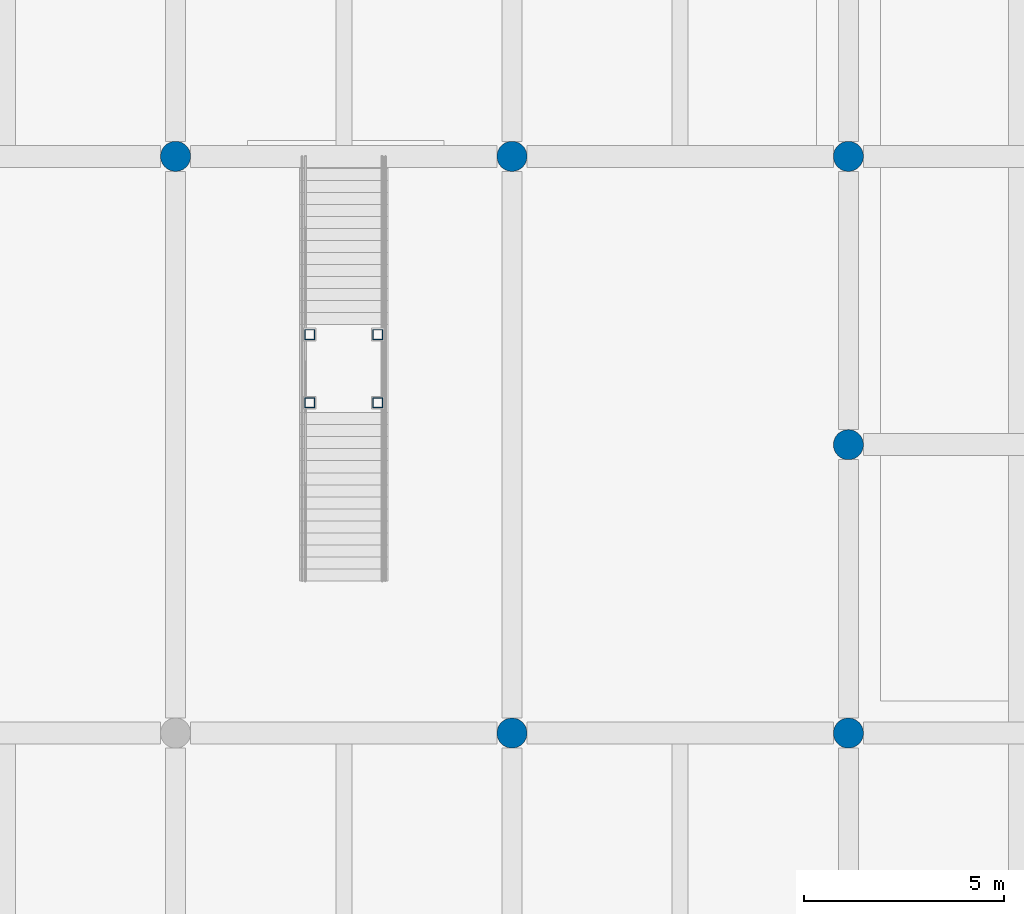
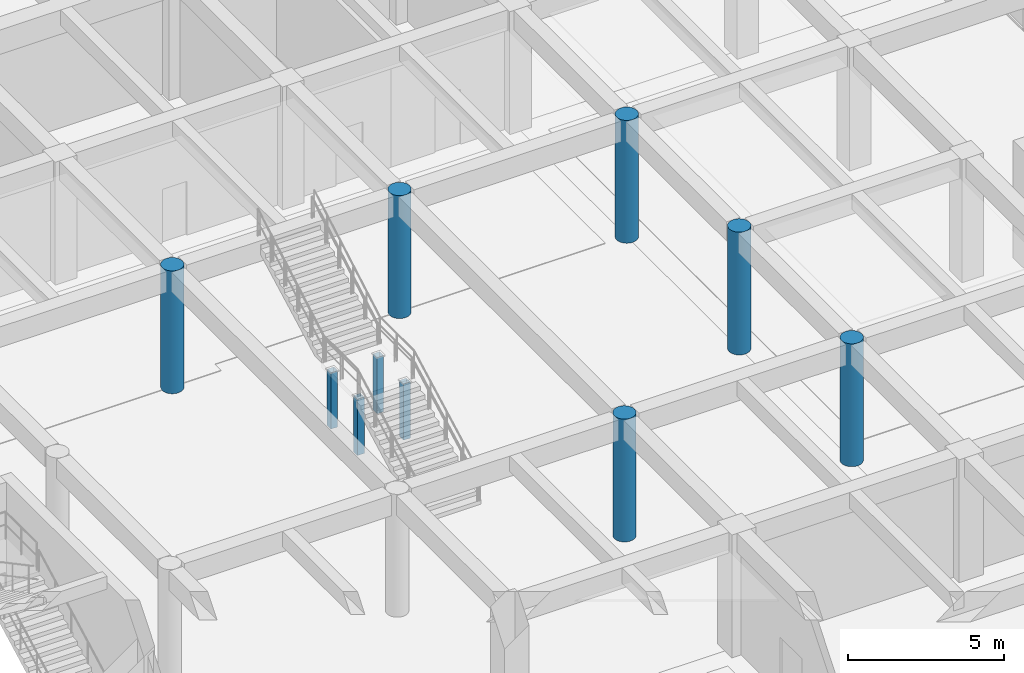
# One storey, part 2 of 49: 10 columns.
"""IFC4 building model written with IfcOpenShell, lengths in metres."""

from ifc_helpers import new_model, si_unit, direction, frame, origin, origin_2d, place, context, subcontext, project, spatial, hollow_rectangle, circle, extrude, material, material_profile, profile_set, type_object, element, save


model = new_model("IFC4")

# Units and contexts
model_context = context("Model", 3, precision=1e-05, world=origin(), true_north=direction((0.0, 1.0)))
body_context = subcontext(model_context, "Body", "Model", "MODEL_VIEW")
ifc_project = project(units=[si_unit("LENGTHUNIT", "METRE"), si_unit("AREAUNIT", "SQUARE_METRE"), si_unit("VOLUMEUNIT", "CUBIC_METRE"), si_unit("PLANEANGLEUNIT", "RADIAN"), si_unit("MASSUNIT", "GRAM", prefix="KILO")], contexts=[model_context])

# Site, building, storey
site_placement = place(None, origin())
site = spatial("IfcSite", under=ifc_project, at=site_placement, CompositionType="ELEMENT")
building_placement = place(site_placement, origin())
building = spatial("IfcBuilding", under=site, at=building_placement, Name="Kenerak Square Central Library", CompositionType="ELEMENT")
storey_placement = place(building_placement, origin())
storey = spatial("IfcBuildingStorey", under=building, at=storey_placement, Name="L00", CompositionType="ELEMENT", Elevation=0.0)

# Columns
ifc_material_1 = material(Name="Concrete C40/50", Category="concrete")
ifc_material_profile_1 = material_profile(ifc_material_1, circle(Radius=0.375, at=origin_2d()), Name="RC D750")
ifc_profile_set_1 = profile_set([ifc_material_profile_1], Name="Concrete C40/50")
column_type_1 = type_object("IfcColumnType", Name="Atrium Column C-13 RC D750 C40/50", PredefinedType="COLUMN", material=ifc_profile_set_1)
for number, where, z_axis, x_axis, name in (
    (1, (83.60009765625, 74.39990234375, 0.0), (0.0, 0.0, 1.0), (1.0, 0.0, 0.0), "Column C-13 L00 10/L"),
    (2, (92.0, 60.0, 0.0), (0.0, 0.0, 1.0), (1.0, 0.0, 0.0), "Column C-13 L00 11/J"),
    (3, (92.0, 74.39990234375, 0.0), (0.0, 0.0, 1.0), (1.0, 0.0, 0.0), "Column C-13 L00 11/L"),
    (4, (100.39990234375, 60.0, 0.0), (0.0, 0.0, 1.0), (1.0, 0.0, 0.0), "Column C-13 L00 12/J"),
    (5, (100.39990234375, 67.199951171875, 0.0), (0.0, 0.0, 1.0), (1.0, 0.0, 0.0), "Column C-13 L00 12/K"),
    (6, (100.39990234375, 74.39990234375, 0.0), (0.0, 0.0, 1.0), (1.0, 0.0, 0.0), "Column C-13 L00 12/L"),
):
    element("IfcColumn", number, at=place(storey_placement, frame(where, z_axis=z_axis, x_axis=x_axis)), inside=storey, type_object=column_type_1, Name=name, PredefinedType="COLUMN", context=body_context, shape_type="SweptSolid", body=[
        extrude(circle(Radius=0.375, at=origin_2d()), origin(), (0.0, 0.0, 1.0), 4.800048828125),
    ])
ifc_material_2 = material(Name="Steel S355", Category="steel")
ifc_material_profile_2 = material_profile(ifc_material_2, hollow_rectangle(XDim=0.25, YDim=0.25, WallThickness=0.010009765625, at=origin_2d()), Name="SHS 250x250x10.0")
ifc_profile_set_2 = profile_set([ifc_material_profile_2], Name="Steel S355")
column_type_2 = type_object("IfcColumnType", Name="Lantern Post C-14 SHS 250x250x10 S355", PredefinedType="COLUMN", material=ifc_profile_set_2)
for number, where, z_axis, x_axis, name in (
    (7, (86.949951171875, 68.25, 0.0), (0.0, 0.0, 1.0), (1.0, 0.0, 0.0), "Feature Stair Support Post ST-F1"),
    (8, (88.64990234375, 68.25, 0.0), (0.0, 0.0, 1.0), (1.0, 0.0, 0.0), "Feature Stair Support Post ST-F1"),
    (9, (86.949951171875, 69.949951171875, 0.0), (0.0, 0.0, 1.0), (1.0, 0.0, 0.0), "Feature Stair Support Post ST-F1"),
    (10, (88.64990234375, 69.949951171875, 0.0), (0.0, 0.0, 1.0), (1.0, 0.0, 0.0), "Feature Stair Support Post ST-F1"),
):
    element("IfcColumn", number, at=place(storey_placement, frame(where, z_axis=z_axis, x_axis=x_axis)), inside=storey, type_object=column_type_2, Name=name, PredefinedType="COLUMN", context=body_context, shape_type="SweptSolid", body=[
        extrude(hollow_rectangle(XDim=0.25, YDim=0.25, WallThickness=0.010009765625, at=origin_2d()), origin(), (0.0, 0.0, 1.0), 2.199951171875),
    ])

save(model, "model.ifc")
